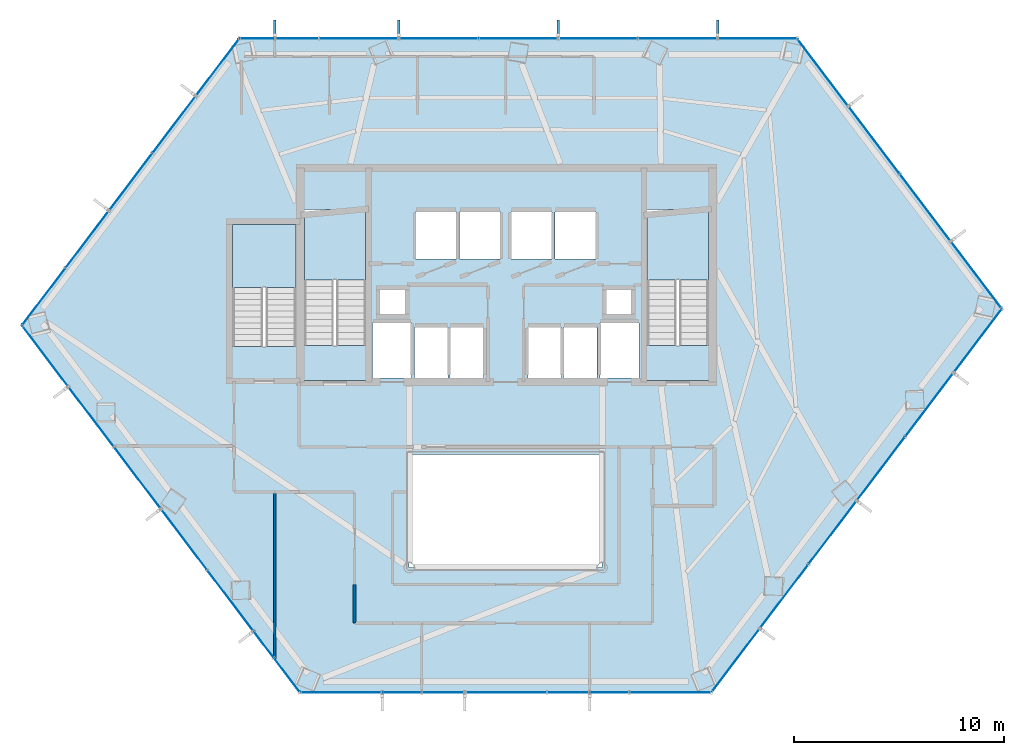
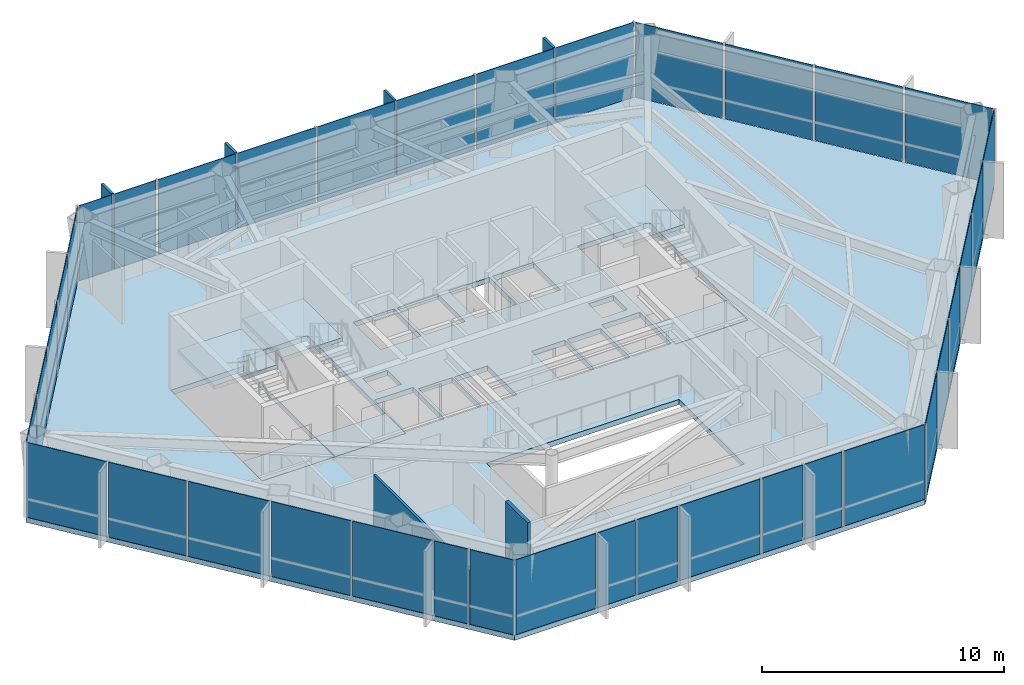
# One storey, part 22 of 26: 37 plates, 7 slabs, 4 members, 2 walls, 9 elements without a shape of their own.
"""IFC4 building model written with IfcOpenShell, lengths in metres."""

from ifc_helpers import new_model, si_unit, direction, frame, frame_2d, origin, origin_2d, place, context, subcontext, project, spatial, polyline, rectangle, outline, extrude, material, layer, layer_set, material_profile, profile_set, type_object, element, aggregate, save


model = new_model("IFC4")

# Units and contexts
model_context = context("Model", 3, precision=1e-05, world=origin(), true_north=direction((0.0, 1.0)))
body_context = subcontext(model_context, "Body", "Model", "MODEL_VIEW")
ifc_project = project(units=[si_unit("LENGTHUNIT", "METRE"), si_unit("AREAUNIT", "SQUARE_METRE"), si_unit("VOLUMEUNIT", "CUBIC_METRE"), si_unit("PLANEANGLEUNIT", "RADIAN"), si_unit("MASSUNIT", "GRAM", prefix="KILO")], contexts=[model_context])

# Site, building, storey
site_placement = place(None, origin())
site = spatial("IfcSite", under=ifc_project, at=site_placement, CompositionType="ELEMENT")
building_placement = place(site_placement, origin())
building = spatial("IfcBuilding", under=site, at=building_placement, Name="Zarrinselat Tower", CompositionType="ELEMENT")
storey_placement = place(building_placement, frame((0.0, 0.0, 92.820068359375)))
storey = spatial("IfcBuildingStorey", under=building, at=storey_placement, Name="L22", CompositionType="ELEMENT", Elevation=92.820068359375)

# Curtain wall, members, plates
ifc_material_1 = material(Name="Extruded Aluminium Alloy EN AW-6063 T6", Category="aluminium")
ifc_layer_1 = layer(ifc_material_1, 0.18505859375)
ifc_layer_set_1 = layer_set([ifc_layer_1], Name="Extruded Aluminium Alloy EN AW-6063 T6")
curtain_wall_type = type_object("IfcCurtainWallType", Name="CWS-OFF", PredefinedType="NOTDEFINED", material=ifc_layer_set_1)
curtain_wall_1_placement = place(storey_placement, origin())
curtain_wall_1 = element("IfcCurtainWall", 1, at=curtain_wall_1_placement, inside=storey, type_object=curtain_wall_type, Name="L22 Unitised Curtain Wall CW-L22-E01", PredefinedType="NOTDEFINED")
ifc_material_2 = material(Name="Honed Cream Travertine Stone", Category="masonry")
ifc_material_profile = material_profile(ifc_material_2, rectangle(XDim=0.1201171875, YDim=0.85009765625, at=origin_2d()), Name="FIN 850x120")
ifc_profile_set = profile_set([ifc_material_profile], Name="Honed Cream Travertine Stone")
member_type = type_object("IfcMemberType", Name="MEM-STONE-FIN", PredefinedType="USERDEFINED", material=ifc_profile_set)
member_1_placement = place(storey_placement, frame((48.493408203125, 50.07666015625, 0.0), z_axis=(0.0, 0.0, 1.0), x_axis=(1.0, 0.0, 0.0)))
member_1 = element("IfcMember", 2, at=member_1_placement, type_object=member_type, Name="L22 Stone Shading Fin CW-L22-E01-01", ObjectType="FIN", PredefinedType="USERDEFINED", context=body_context, shape_type="SweptSolid", body=[
    extrude(rectangle(XDim=0.1201171875, YDim=0.85009765625, at=origin_2d()), origin(), (0.0, 0.0, 1.0), 3.81982421875),
])
member_2_placement = place(storey_placement, frame((40.897216796875, 50.07666015625, 0.0), z_axis=(0.0, 0.0, 1.0), x_axis=(1.0, 0.0, 0.0)))
member_2 = element("IfcMember", 3, at=member_2_placement, type_object=member_type, Name="L22 Stone Shading Fin CW-L22-E01-03", ObjectType="FIN", PredefinedType="USERDEFINED", context=body_context, shape_type="SweptSolid", body=[
    extrude(rectangle(XDim=0.1201171875, YDim=0.85009765625, at=origin_2d()), origin(), (0.0, 0.0, 1.0), 3.81982421875),
])
member_3_placement = place(storey_placement, frame((33.30078125, 50.07666015625, 0.0), z_axis=(0.0, 0.0, 1.0), x_axis=(1.0, 0.0, 0.0)))
member_3 = element("IfcMember", 4, at=member_3_placement, type_object=member_type, Name="L22 Stone Shading Fin CW-L22-E01-05", ObjectType="FIN", PredefinedType="USERDEFINED", context=body_context, shape_type="SweptSolid", body=[
    extrude(rectangle(XDim=0.1201171875, YDim=0.85009765625, at=origin_2d()), origin(), (0.0, 0.0, 1.0), 3.81982421875),
])
member_4_placement = place(storey_placement, frame((27.39990234375, 50.07666015625, 0.0), z_axis=(0.0, 0.0, 1.0), x_axis=(1.0, 0.0, 0.0)))
member_4 = element("IfcMember", 5, at=member_4_placement, type_object=member_type, Name="L22 Stone Shading Fin CW-L22-E01-07", ObjectType="FIN", PredefinedType="USERDEFINED", context=body_context, shape_type="SweptSolid", body=[
    extrude(rectangle(XDim=0.1201171875, YDim=0.85009765625, at=origin_2d()), origin(), (0.0, 0.0, 1.0), 3.81982421875),
])
ifc_material_3 = material(Name="Double Low-E Laminated Solar Glass", Category="glass")
ifc_layer_2 = layer(ifc_material_3, 0.031982421875)
ifc_layer_set_2 = layer_set([ifc_layer_2], Name="Double Low-E Laminated Solar Glass")
plate_type = type_object("IfcPlateType", Name="PLT-CW-GL32", PredefinedType="CURTAIN_PANEL", material=ifc_layer_set_2)
plate_1_placement = place(storey_placement, frame((50.392333984375, 49.61669921875, 0.02001953125), z_axis=(0.0, 0.0, 1.0), x_axis=(-1.0, 0.0, 0.0)))
plate_1 = element("IfcPlate", 6, at=plate_1_placement, type_object=plate_type, Name="CW-L22-E01 Vision Glass Panel 1", PredefinedType="CURTAIN_PANEL", context=body_context, shape_type="SweptSolid", body=[
    extrude(rectangle(XDim=3.697998046875, YDim=0.031982421875, at=origin_2d()), origin(), (0.0, 0.0, 1.0), 3.780029296875),
])
plate_2_placement = place(storey_placement, frame((46.59423828125, 49.61669921875, 0.02001953125), z_axis=(0.0, 0.0, 1.0), x_axis=(-1.0, 0.0, 0.0)))
plate_2 = element("IfcPlate", 7, at=plate_2_placement, type_object=plate_type, Name="CW-L22-E01 Vision Glass Panel 2", PredefinedType="CURTAIN_PANEL", context=body_context, shape_type="SweptSolid", body=[
    extrude(rectangle(XDim=3.697998046875, YDim=0.031982421875, at=origin_2d()), origin(), (0.0, 0.0, 1.0), 3.780029296875),
])
plate_3_placement = place(storey_placement, frame((42.796142578125, 49.61669921875, 0.02001953125), z_axis=(0.0, 0.0, 1.0), x_axis=(-1.0, 0.0, 0.0)))
plate_3 = element("IfcPlate", 8, at=plate_3_placement, type_object=plate_type, Name="CW-L22-E01 Vision Glass Panel 3", PredefinedType="CURTAIN_PANEL", context=body_context, shape_type="SweptSolid", body=[
    extrude(rectangle(XDim=3.697998046875, YDim=0.031982421875, at=origin_2d()), origin(), (0.0, 0.0, 1.0), 3.780029296875),
])
plate_4_placement = place(storey_placement, frame((38.998046875, 49.61669921875, 0.02001953125), z_axis=(0.0, 0.0, 1.0), x_axis=(-1.0, 0.0, 0.0)))
plate_4 = element("IfcPlate", 9, at=plate_4_placement, type_object=plate_type, Name="CW-L22-E01 Vision Glass Panel 4", PredefinedType="CURTAIN_PANEL", context=body_context, shape_type="SweptSolid", body=[
    extrude(rectangle(XDim=3.697998046875, YDim=0.031982421875, at=origin_2d()), origin(), (0.0, 0.0, 1.0), 3.780029296875),
])
plate_5_placement = place(storey_placement, frame((35.199951171875, 49.61669921875, 0.02001953125), z_axis=(0.0, 0.0, 1.0), x_axis=(-1.0, 0.0, 0.0)))
plate_5 = element("IfcPlate", 10, at=plate_5_placement, type_object=plate_type, Name="CW-L22-E01 Vision Glass Panel 5", PredefinedType="CURTAIN_PANEL", context=body_context, shape_type="SweptSolid", body=[
    extrude(rectangle(XDim=3.697998046875, YDim=0.031982421875, at=origin_2d()), origin(), (0.0, 0.0, 1.0), 3.780029296875),
])
plate_6_placement = place(storey_placement, frame((31.401611328125, 49.61669921875, 0.02001953125), z_axis=(0.0, 0.0, 1.0), x_axis=(-1.0, 0.0, 0.0)))
plate_6 = element("IfcPlate", 11, at=plate_6_placement, type_object=plate_type, Name="CW-L22-E01 Vision Glass Panel 6", PredefinedType="CURTAIN_PANEL", context=body_context, shape_type="SweptSolid", body=[
    extrude(rectangle(XDim=3.697998046875, YDim=0.031982421875, at=origin_2d()), origin(), (0.0, 0.0, 1.0), 3.780029296875),
])
plate_7_placement = place(storey_placement, frame((28.451416015625, 49.61669921875, 0.02001953125), z_axis=(0.0, 0.0, 1.0), x_axis=(-1.0, 0.0, 0.0)))
plate_7 = element("IfcPlate", 12, at=plate_7_placement, type_object=plate_type, Name="CW-L22-E01 Vision Glass Panel 7", PredefinedType="CURTAIN_PANEL", context=body_context, shape_type="SweptSolid", body=[
    extrude(rectangle(XDim=2.002685546875, YDim=0.031982421875, at=origin_2d()), origin(), (0.0, 0.0, 1.0), 3.780029296875),
])
plate_8_placement = place(storey_placement, frame((26.55224609375, 49.61669921875, 0.02001953125), z_axis=(0.0, 0.0, 1.0), x_axis=(-1.0, 0.0, 0.0)))
plate_8 = element("IfcPlate", 13, at=plate_8_placement, type_object=plate_type, Name="CW-L22-E01 Vision Glass Panel 8", PredefinedType="CURTAIN_PANEL", context=body_context, shape_type="SweptSolid", body=[
    extrude(rectangle(XDim=1.595458984375, YDim=0.031982421875, at=origin_2d()), origin(), (0.0, 0.0, 1.0), 3.780029296875),
])
aggregate(curtain_wall_1, [member_1, member_2, member_3, member_4, plate_1, plate_2, plate_3, plate_4, plate_5, plate_6, plate_7, plate_8])

# Curtain wall, plates
curtain_wall_2_placement = place(storey_placement, origin())
curtain_wall_2 = element("IfcCurtainWall", 14, at=curtain_wall_2_placement, inside=storey, type_object=curtain_wall_type, Name="L22 Unitised Curtain Wall CW-L22-E02", PredefinedType="NOTDEFINED")
plate_9_placement = place(storey_placement, frame((24.668701171875, 48.24951171875, 0.02001953125), z_axis=(0.0, 0.0, 1.0), x_axis=(-0.603857014451, -0.797092658414, 0.0)))
plate_9 = element("IfcPlate", 15, at=plate_9_placement, type_object=plate_type, Name="CW-L22-E02 Vision Glass Panel 1", PredefinedType="CURTAIN_PANEL", context=body_context, shape_type="SweptSolid", body=[
    extrude(rectangle(XDim=3.330078125, YDim=0.031982421875, at=origin_2d()), origin(), (0.0, 0.0, 1.0), 3.780029296875),
])
plate_10_placement = place(storey_placement, frame((22.597412109375, 45.515380859375, 0.02001953125), z_axis=(0.0, 0.0, 1.0), x_axis=(-0.603857014451, -0.797092658414, 0.0)))
plate_10 = element("IfcPlate", 16, at=plate_10_placement, type_object=plate_type, Name="CW-L22-E02 Vision Glass Panel 2", PredefinedType="CURTAIN_PANEL", context=body_context, shape_type="SweptSolid", body=[
    extrude(rectangle(XDim=3.330078125, YDim=0.031982421875, at=origin_2d()), origin(), (0.0, 0.0, 1.0), 3.780029296875),
])
plate_11_placement = place(storey_placement, frame((20.526123046875, 42.78125, 0.02001953125), z_axis=(0.0, 0.0, 1.0), x_axis=(-0.603857014451, -0.797092658414, 0.0)))
plate_11 = element("IfcPlate", 17, at=plate_11_placement, type_object=plate_type, Name="CW-L22-E02 Vision Glass Panel 3", PredefinedType="CURTAIN_PANEL", context=body_context, shape_type="SweptSolid", body=[
    extrude(rectangle(XDim=3.330078125, YDim=0.031982421875, at=origin_2d()), origin(), (0.0, 0.0, 1.0), 3.780029296875),
])
plate_12_placement = place(storey_placement, frame((18.45458984375, 40.047119140625, 0.02001953125), z_axis=(0.0, 0.0, 1.0), x_axis=(-0.603857014451, -0.797092658414, 0.0)))
plate_12 = element("IfcPlate", 18, at=plate_12_placement, type_object=plate_type, Name="CW-L22-E02 Vision Glass Panel 4", PredefinedType="CURTAIN_PANEL", context=body_context, shape_type="SweptSolid", body=[
    extrude(rectangle(XDim=3.330078125, YDim=0.031982421875, at=origin_2d()), origin(), (0.0, 0.0, 1.0), 3.780029296875),
])
plate_13_placement = place(storey_placement, frame((16.38330078125, 37.312744140625, 0.02001953125), z_axis=(0.0, 0.0, 1.0), x_axis=(-0.603857014451, -0.797092658414, 0.0)))
plate_13 = element("IfcPlate", 19, at=plate_13_placement, type_object=plate_type, Name="CW-L22-E02 Vision Glass Panel 5", PredefinedType="CURTAIN_PANEL", context=body_context, shape_type="SweptSolid", body=[
    extrude(rectangle(XDim=3.330078125, YDim=0.031982421875, at=origin_2d()), origin(), (0.0, 0.0, 1.0), 3.780029296875),
])
aggregate(curtain_wall_2, [plate_9, plate_10, plate_11, plate_12, plate_13])

curtain_wall_3_placement = place(storey_placement, origin())
curtain_wall_3 = element("IfcCurtainWall", 20, at=curtain_wall_3_placement, inside=storey, type_object=curtain_wall_type, Name="L22 Unitised Curtain Wall CW-L22-E03", PredefinedType="NOTDEFINED")
plate_14_placement = place(storey_placement, frame((16.45166015625, 34.488525390625, 0.02001953125), z_axis=(0.0, 0.0, 1.0), x_axis=(0.603856459269, -0.797093079006, 0.0)))
plate_14 = element("IfcPlate", 21, at=plate_14_placement, type_object=plate_type, Name="CW-L22-E03 Vision Glass Panel 1", PredefinedType="CURTAIN_PANEL", context=body_context, shape_type="SweptSolid", body=[
    extrude(rectangle(XDim=3.55615234375, YDim=0.031982421875, at=origin_2d()), origin(), (0.0, 0.0, 1.0), 3.780029296875),
])
plate_15_placement = place(storey_placement, frame((18.6416015625, 31.59765625, 0.02001953125), z_axis=(0.0, 0.0, 1.0), x_axis=(0.603856459269, -0.797093079006, 0.0)))
plate_15 = element("IfcPlate", 22, at=plate_15_placement, type_object=plate_type, Name="CW-L22-E03 Vision Glass Panel 2", PredefinedType="CURTAIN_PANEL", context=body_context, shape_type="SweptSolid", body=[
    extrude(rectangle(XDim=3.497802734375, YDim=0.031982421875, at=origin_2d()), origin(), (0.0, 0.0, 1.0), 3.780029296875),
])
plate_16_placement = place(storey_placement, frame((20.849609375, 28.683349609375, 0.02001953125), z_axis=(0.0, 0.0, 1.0), x_axis=(0.603856459269, -0.797093079006, 0.0)))
plate_16 = element("IfcPlate", 23, at=plate_16_placement, type_object=plate_type, Name="CW-L22-E03 Vision Glass Panel 3", PredefinedType="CURTAIN_PANEL", context=body_context, shape_type="SweptSolid", body=[
    extrude(rectangle(XDim=3.614501953125, YDim=0.031982421875, at=origin_2d()), origin(), (0.0, 0.0, 1.0), 3.780029296875),
])
plate_17_placement = place(storey_placement, frame((23.074951171875, 25.74560546875, 0.02001953125), z_axis=(0.0, 0.0, 1.0), x_axis=(0.603856459269, -0.797093079006, 0.0)))
plate_17 = element("IfcPlate", 24, at=plate_17_placement, type_object=plate_type, Name="CW-L22-E03 Vision Glass Panel 4", PredefinedType="CURTAIN_PANEL", context=body_context, shape_type="SweptSolid", body=[
    extrude(rectangle(XDim=3.55615234375, YDim=0.031982421875, at=origin_2d()), origin(), (0.0, 0.0, 1.0), 3.780029296875),
])
plate_18_placement = place(storey_placement, frame((25.28271484375, 22.831298828125, 0.02001953125), z_axis=(0.0, 0.0, 1.0), x_axis=(0.603856459269, -0.797093079006, 0.0)))
plate_18 = element("IfcPlate", 25, at=plate_18_placement, type_object=plate_type, Name="CW-L22-E03 Vision Glass Panel 5", PredefinedType="CURTAIN_PANEL", context=body_context, shape_type="SweptSolid", body=[
    extrude(rectangle(XDim=3.55615234375, YDim=0.031982421875, at=origin_2d()), origin(), (0.0, 0.0, 1.0), 3.780029296875),
])
plate_19_placement = place(storey_placement, frame((26.869384765625, 20.737060546875, 0.02001953125), z_axis=(0.0, 0.0, 1.0), x_axis=(0.603856459269, -0.797093079006, 0.0)))
plate_19 = element("IfcPlate", 26, at=plate_19_placement, type_object=plate_type, Name="CW-L22-E03 Vision Glass Panel 6", PredefinedType="CURTAIN_PANEL", context=body_context, shape_type="SweptSolid", body=[
    extrude(rectangle(XDim=1.4990234375, YDim=0.031982421875, at=origin_2d()), origin(), (0.0, 0.0, 1.0), 3.780029296875),
])
plate_20_placement = place(storey_placement, frame((27.973388671875, 19.27978515625, 0.02001953125), z_axis=(0.0, 0.0, 1.0), x_axis=(0.603856459269, -0.797093079006, 0.0)))
plate_20 = element("IfcPlate", 27, at=plate_20_placement, type_object=plate_type, Name="CW-L22-E03 Vision Glass Panel 7", PredefinedType="CURTAIN_PANEL", context=body_context, shape_type="SweptSolid", body=[
    extrude(rectangle(XDim=1.957275390625, YDim=0.031982421875, at=origin_2d()), origin(), (0.0, 0.0, 1.0), 3.780029296875),
])
aggregate(curtain_wall_3, [plate_14, plate_15, plate_16, plate_17, plate_18, plate_19, plate_20])

curtain_wall_4_placement = place(storey_placement, origin())
curtain_wall_4 = element("IfcCurtainWall", 28, at=curtain_wall_4_placement, inside=storey, type_object=curtain_wall_type, Name="L22 Unitised Curtain Wall CW-L22-E04", PredefinedType="NOTDEFINED")
plate_21_placement = place(storey_placement, frame((30.555419921875, 18.4599609375, 0.02001953125), z_axis=(0.0, 0.0, 1.0), x_axis=(1.0, 0.0, 0.0)))
plate_21 = element("IfcPlate", 29, at=plate_21_placement, type_object=plate_type, Name="CW-L22-E04 Vision Glass Panel 1", PredefinedType="CURTAIN_PANEL", context=body_context, shape_type="SweptSolid", body=[
    extrude(rectangle(XDim=3.822265625, YDim=0.031982421875, at=origin_2d()), origin(), (0.0, 0.0, 1.0), 3.780029296875),
])
plate_22_placement = place(storey_placement, frame((33.458251953125, 18.4599609375, 0.02001953125), z_axis=(0.0, 0.0, 1.0), x_axis=(1.0, 0.0, 0.0)))
plate_22 = element("IfcPlate", 30, at=plate_22_placement, type_object=plate_type, Name="CW-L22-E04 Vision Glass Panel 2", PredefinedType="CURTAIN_PANEL", context=body_context, shape_type="SweptSolid", body=[
    extrude(rectangle(XDim=1.783447265625, YDim=0.031982421875, at=origin_2d()), origin(), (0.0, 0.0, 1.0), 3.780029296875),
])
plate_23_placement = place(storey_placement, frame((35.41943359375, 18.4599609375, 0.02001953125), z_axis=(0.0, 0.0, 1.0), x_axis=(1.0, 0.0, 0.0)))
plate_23 = element("IfcPlate", 31, at=plate_23_placement, type_object=plate_type, Name="CW-L22-E04 Vision Glass Panel 3", PredefinedType="CURTAIN_PANEL", context=body_context, shape_type="SweptSolid", body=[
    extrude(rectangle(XDim=1.93896484375, YDim=0.031982421875, at=origin_2d()), origin(), (0.0, 0.0, 1.0), 3.780029296875),
])
plate_24_placement = place(storey_placement, frame((38.39990234375, 18.4599609375, 0.02001953125), z_axis=(0.0, 0.0, 1.0), x_axis=(1.0, 0.0, 0.0)))
plate_24 = element("IfcPlate", 32, at=plate_24_placement, type_object=plate_type, Name="CW-L22-E04 Vision Glass Panel 4", PredefinedType="CURTAIN_PANEL", context=body_context, shape_type="SweptSolid", body=[
    extrude(rectangle(XDim=3.822265625, YDim=0.031982421875, at=origin_2d()), origin(), (0.0, 0.0, 1.0), 3.780029296875),
])
plate_25_placement = place(storey_placement, frame((41.380615234375, 18.4599609375, 0.02001953125), z_axis=(0.0, 0.0, 1.0), x_axis=(1.0, 0.0, 0.0)))
plate_25 = element("IfcPlate", 33, at=plate_25_placement, type_object=plate_type, Name="CW-L22-E04 Vision Glass Panel 5", PredefinedType="CURTAIN_PANEL", context=body_context, shape_type="SweptSolid", body=[
    extrude(rectangle(XDim=1.93896484375, YDim=0.031982421875, at=origin_2d()), origin(), (0.0, 0.0, 1.0), 3.780029296875),
])
plate_26_placement = place(storey_placement, frame((43.341796875, 18.4599609375, 0.02001953125), z_axis=(0.0, 0.0, 1.0), x_axis=(1.0, 0.0, 0.0)))
plate_26 = element("IfcPlate", 34, at=plate_26_placement, type_object=plate_type, Name="CW-L22-E04 Vision Glass Panel 6", PredefinedType="CURTAIN_PANEL", context=body_context, shape_type="SweptSolid", body=[
    extrude(rectangle(XDim=1.783447265625, YDim=0.031982421875, at=origin_2d()), origin(), (0.0, 0.0, 1.0), 3.780029296875),
])
plate_27_placement = place(storey_placement, frame((46.244384765625, 18.4599609375, 0.02001953125), z_axis=(0.0, 0.0, 1.0), x_axis=(1.0, 0.0, 0.0)))
plate_27 = element("IfcPlate", 35, at=plate_27_placement, type_object=plate_type, Name="CW-L22-E04 Vision Glass Panel 7", PredefinedType="CURTAIN_PANEL", context=body_context, shape_type="SweptSolid", body=[
    extrude(rectangle(XDim=3.822265625, YDim=0.031982421875, at=origin_2d()), origin(), (0.0, 0.0, 1.0), 3.780029296875),
])
aggregate(curtain_wall_4, [plate_21, plate_22, plate_23, plate_24, plate_25, plate_26, plate_27])

curtain_wall_5_placement = place(storey_placement, origin())
curtain_wall_5 = element("IfcCurtainWall", 36, at=curtain_wall_5_placement, inside=storey, type_object=curtain_wall_type, Name="L22 Unitised Curtain Wall CW-L22-E05", PredefinedType="NOTDEFINED")
plate_28_placement = place(storey_placement, frame((49.359375, 19.98291015625, 0.02001953125), z_axis=(0.0, 0.0, 1.0), x_axis=(0.603855672579, 0.797093674981, 0.0)))
plate_28 = element("IfcPlate", 37, at=plate_28_placement, type_object=plate_type, Name="CW-L22-E05 Vision Glass Panel 1", PredefinedType="CURTAIN_PANEL", context=body_context, shape_type="SweptSolid", body=[
    extrude(rectangle(XDim=3.72119140625, YDim=0.031982421875, at=origin_2d()), origin(), (0.0, 0.0, 1.0), 3.780029296875),
])
plate_29_placement = place(storey_placement, frame((51.666748046875, 23.02880859375, 0.02001953125), z_axis=(0.0, 0.0, 1.0), x_axis=(0.603855672579, 0.797093674981, 0.0)))
plate_29 = element("IfcPlate", 38, at=plate_29_placement, type_object=plate_type, Name="CW-L22-E05 Vision Glass Panel 2", PredefinedType="CURTAIN_PANEL", context=body_context, shape_type="SweptSolid", body=[
    extrude(rectangle(XDim=3.72119140625, YDim=0.031982421875, at=origin_2d()), origin(), (0.0, 0.0, 1.0), 3.780029296875),
])
plate_30_placement = place(storey_placement, frame((53.97412109375, 26.07470703125, 0.02001953125), z_axis=(0.0, 0.0, 1.0), x_axis=(0.603855672579, 0.797093674981, 0.0)))
plate_30 = element("IfcPlate", 39, at=plate_30_placement, type_object=plate_type, Name="CW-L22-E05 Vision Glass Panel 3", PredefinedType="CURTAIN_PANEL", context=body_context, shape_type="SweptSolid", body=[
    extrude(rectangle(XDim=3.72119140625, YDim=0.031982421875, at=origin_2d()), origin(), (0.0, 0.0, 1.0), 3.780029296875),
])
plate_31_placement = place(storey_placement, frame((56.28173828125, 29.12060546875, 0.02001953125), z_axis=(0.0, 0.0, 1.0), x_axis=(0.603855672579, 0.797093674981, 0.0)))
plate_31 = element("IfcPlate", 40, at=plate_31_placement, type_object=plate_type, Name="CW-L22-E05 Vision Glass Panel 4", PredefinedType="CURTAIN_PANEL", context=body_context, shape_type="SweptSolid", body=[
    extrude(rectangle(XDim=3.72119140625, YDim=0.031982421875, at=origin_2d()), origin(), (0.0, 0.0, 1.0), 3.780029296875),
])
plate_32_placement = place(storey_placement, frame((58.589111328125, 32.166259765625, 0.02001953125), z_axis=(0.0, 0.0, 1.0), x_axis=(0.603855672579, 0.797093674981, 0.0)))
plate_32 = element("IfcPlate", 41, at=plate_32_placement, type_object=plate_type, Name="CW-L22-E05 Vision Glass Panel 5", PredefinedType="CURTAIN_PANEL", context=body_context, shape_type="SweptSolid", body=[
    extrude(rectangle(XDim=3.72119140625, YDim=0.031982421875, at=origin_2d()), origin(), (0.0, 0.0, 1.0), 3.780029296875),
])
plate_33_placement = place(storey_placement, frame((60.896484375, 35.212158203125, 0.02001953125), z_axis=(0.0, 0.0, 1.0), x_axis=(0.603855672579, 0.797093674981, 0.0)))
plate_33 = element("IfcPlate", 42, at=plate_33_placement, type_object=plate_type, Name="CW-L22-E05 Vision Glass Panel 6", PredefinedType="CURTAIN_PANEL", context=body_context, shape_type="SweptSolid", body=[
    extrude(rectangle(XDim=3.72119140625, YDim=0.031982421875, at=origin_2d()), origin(), (0.0, 0.0, 1.0), 3.780029296875),
])
aggregate(curtain_wall_5, [plate_28, plate_29, plate_30, plate_31, plate_32, plate_33])

curtain_wall_6_placement = place(storey_placement, origin())
curtain_wall_6 = element("IfcCurtainWall", 43, at=curtain_wall_6_placement, inside=storey, type_object=curtain_wall_type, Name="L22 Unitised Curtain Wall CW-L22-E06", PredefinedType="NOTDEFINED")
plate_34_placement = place(storey_placement, frame((60.830322265625, 38.34521484375, 0.02001953125), z_axis=(0.0, 0.0, 1.0), x_axis=(-0.603858164533, 0.797091787141, 0.0)))
plate_34 = element("IfcPlate", 44, at=plate_34_placement, type_object=plate_type, Name="CW-L22-E06 Vision Glass Panel 1", PredefinedType="CURTAIN_PANEL", context=body_context, shape_type="SweptSolid", body=[
    extrude(rectangle(XDim=3.940185546875, YDim=0.031982421875, at=origin_2d()), origin(), (0.0, 0.0, 1.0), 3.780029296875),
])
plate_35_placement = place(storey_placement, frame((58.390625, 41.565673828125, 0.02001953125), z_axis=(0.0, 0.0, 1.0), x_axis=(-0.603858164533, 0.797091787141, 0.0)))
plate_35 = element("IfcPlate", 45, at=plate_35_placement, type_object=plate_type, Name="CW-L22-E06 Vision Glass Panel 2", PredefinedType="CURTAIN_PANEL", context=body_context, shape_type="SweptSolid", body=[
    extrude(rectangle(XDim=3.940185546875, YDim=0.031982421875, at=origin_2d()), origin(), (0.0, 0.0, 1.0), 3.780029296875),
])
plate_36_placement = place(storey_placement, frame((55.950927734375, 44.7861328125, 0.02001953125), z_axis=(0.0, 0.0, 1.0), x_axis=(-0.603858164533, 0.797091787141, 0.0)))
plate_36 = element("IfcPlate", 46, at=plate_36_placement, type_object=plate_type, Name="CW-L22-E06 Vision Glass Panel 3", PredefinedType="CURTAIN_PANEL", context=body_context, shape_type="SweptSolid", body=[
    extrude(rectangle(XDim=3.940185546875, YDim=0.031982421875, at=origin_2d()), origin(), (0.0, 0.0, 1.0), 3.780029296875),
])
plate_37_placement = place(storey_placement, frame((53.511474609375, 48.006591796875, 0.02001953125), z_axis=(0.0, 0.0, 1.0), x_axis=(-0.603858164533, 0.797091787141, 0.0)))
plate_37 = element("IfcPlate", 47, at=plate_37_placement, type_object=plate_type, Name="CW-L22-E06 Vision Glass Panel 4", PredefinedType="CURTAIN_PANEL", context=body_context, shape_type="SweptSolid", body=[
    extrude(rectangle(XDim=3.940185546875, YDim=0.031982421875, at=origin_2d()), origin(), (0.0, 0.0, 1.0), 3.780029296875),
])
aggregate(curtain_wall_6, [plate_34, plate_35, plate_36, plate_37])

# Slabs
ifc_material_4 = material(Name="Concrete C40/50", Category="concrete")
ifc_layer_3 = layer(ifc_material_4, 0.260009765625)
ifc_layer_set_3 = layer_set([ifc_layer_3], Name="Concrete C40/50")
slab_type_1 = type_object("IfcSlabType", Name="SLB-FLOOR-260-SL-OF260", PredefinedType="FLOOR", material=ifc_layer_set_3)
slab_1_placement = place(storey_placement, frame((0.0, 0.0, -0.260009765625)))
element("IfcSlab", 48, at=slab_1_placement, inside=storey, type_object=slab_type_1, Name="L22 Primary Structural Slab", PredefinedType="FLOOR", context=body_context, shape_type="SweptSolid", body=[
    extrude(outline(polyline([(52.29150390625, 49.61669921875), (25.70458984375, 49.61669921875), (15.34765625, 35.94580078125), (28.594482421875, 18.4599609375), (48.20556640625, 18.4599609375), (62.05029296875, 36.735107421875), (52.29150390625, 49.61669921875)]), holes=[polyline([(34.050048828125, 33.449951171875), (34.050048828125, 35.85009765625), (35.64990234375, 35.85009765625), (35.64990234375, 33.449951171875), (34.050048828125, 33.449951171875)]), polyline([(35.75, 33.449951171875), (35.75, 35.85009765625), (37.35009765625, 35.85009765625), (37.35009765625, 33.449951171875), (35.75, 33.449951171875)]), polyline([(32.06005859375, 33.449951171875), (32.06005859375, 36.050048828125), (33.89990234375, 36.050048828125), (33.89990234375, 33.449951171875), (32.06005859375, 33.449951171875)]), polyline([(32.419921875, 36.47998046875), (32.419921875, 37.639892578125), (33.60009765625, 37.639892578125), (33.60009765625, 36.47998046875), (32.419921875, 36.47998046875)]), polyline([(28.594970703125, 33.324951171875), (25.114990234375, 33.324951171875), (25.114990234375, 40.875), (28.594970703125, 40.875), (28.594970703125, 33.324951171875)]), polyline([(31.985107421875, 33.324951171875), (28.60498046875, 33.324951171875), (28.60498046875, 41.47509765625), (31.985107421875, 41.47509765625), (31.985107421875, 33.324951171875)]), polyline([(34.10009765625, 39.10009765625), (34.10009765625, 41.35009765625), (36.050048828125, 41.35009765625), (36.050048828125, 39.10009765625), (34.10009765625, 39.10009765625)]), polyline([(36.199951171875, 39.10009765625), (36.199951171875, 41.35009765625), (38.14990234375, 41.35009765625), (38.14990234375, 39.10009765625), (36.199951171875, 39.10009765625)]), polyline([(33.800048828125, 24.39990234375), (33.800048828125, 29.800048828125), (43.0, 29.800048828125), (43.0, 24.39990234375), (33.800048828125, 24.39990234375)]), polyline([(39.449951171875, 33.449951171875), (39.449951171875, 35.85009765625), (41.050048828125, 35.85009765625), (41.050048828125, 33.449951171875), (39.449951171875, 33.449951171875)]), polyline([(41.14990234375, 33.449951171875), (41.14990234375, 35.85009765625), (42.75, 35.85009765625), (42.75, 33.449951171875), (41.14990234375, 33.449951171875)]), polyline([(42.89990234375, 33.449951171875), (42.89990234375, 36.050048828125), (44.739990234375, 36.050048828125), (44.739990234375, 33.449951171875), (42.89990234375, 33.449951171875)]), polyline([(43.199951171875, 36.47998046875), (43.199951171875, 37.639892578125), (44.3798828125, 37.639892578125), (44.3798828125, 36.47998046875), (43.199951171875, 36.47998046875)]), polyline([(48.324951171875, 33.324951171875), (44.875, 33.324951171875), (44.875, 41.47509765625), (48.324951171875, 41.47509765625), (48.324951171875, 33.324951171875)]), polyline([(38.64990234375, 39.10009765625), (38.64990234375, 41.35009765625), (40.60009765625, 41.35009765625), (40.60009765625, 39.10009765625), (38.64990234375, 39.10009765625)]), polyline([(40.75, 39.10009765625), (40.75, 41.35009765625), (42.699951171875, 41.35009765625), (42.699951171875, 39.10009765625), (40.75, 39.10009765625)])]), origin(), (0.0, 0.0, 1.0), 0.260009765625),
])
slab_2_placement = place(storey_placement, frame((0.0, 0.0, -0.260009765625)))
element("IfcSlab", 49, at=slab_2_placement, inside=storey, type_object=slab_type_1, Name="L22 Stair ST-1-FL1 Structural Floor Landing", PredefinedType="FLOOR", context=body_context, shape_type="SweptSolid", body=[
    extrude(outline(polyline([(31.97998046875, 33.330078125), (31.97998046875, 35.0), (28.610107421875, 35.0), (28.610107421875, 33.330078125), (31.97998046875, 33.330078125)])), origin(), (0.0, 0.0, 1.0), 0.260009765625),
])
slab_3_placement = place(storey_placement, frame((0.0, 0.0, -0.260009765625)))
element("IfcSlab", 50, at=slab_3_placement, inside=storey, type_object=slab_type_1, Name="L22 Stair ST-2-FL1 Structural Floor Landing", PredefinedType="FLOOR", context=body_context, shape_type="SweptSolid", body=[
    extrude(outline(polyline([(48.320068359375, 33.330078125), (48.320068359375, 35.0), (44.8798828125, 35.0), (44.8798828125, 33.330078125), (48.320068359375, 33.330078125)])), origin(), (0.0, 0.0, 1.0), 0.260009765625),
])
slab_4_placement = place(storey_placement, frame((0.0, 0.0, -0.260009765625)))
element("IfcSlab", 51, at=slab_4_placement, inside=storey, type_object=slab_type_1, Name="L22 Stair ST-3-FL1 Structural Floor Landing", PredefinedType="FLOOR", context=body_context, shape_type="SweptSolid", body=[
    extrude(outline(polyline([(28.590087890625, 33.330078125), (28.590087890625, 34.949951171875), (25.1201171875, 34.949951171875), (25.1201171875, 33.330078125), (28.590087890625, 33.330078125)])), origin(), (0.0, 0.0, 1.0), 0.260009765625),
])

# Stair, slab
ifc_material_5 = material(Name="Concrete C40/50", Category="concrete")
stair_type_1 = type_object("IfcStairType", Name="STR-CORE-145", PredefinedType="HALF_TURN_STAIR", material=ifc_material_5)
stair_1_placement = place(storey_placement, origin())
stair_1 = element("IfcStair", 52, at=stair_1_placement, inside=storey, type_object=stair_type_1, Name="L22 Podium & Mid-Tower Exit Stair 3", PredefinedType="HALF_TURN_STAIR")
ifc_material_6 = material(Name="Concrete C40/50", Category="concrete")
ifc_layer_4 = layer(ifc_material_6, 0.1650390625)
ifc_layer_set_4 = layer_set([ifc_layer_4], Name="Concrete C40/50")
slab_type_2 = type_object("IfcSlabType", Name="SLB-LND-165", PredefinedType="LANDING", material=ifc_layer_set_4)
slab_5_placement = place(storey_placement, frame((0.0, 0.0, 1.83984375)))
slab_5 = element("IfcSlab", 53, at=slab_5_placement, type_object=slab_type_2, Name="ST-3 landing 1", PredefinedType="LANDING", context=body_context, shape_type="SweptSolid", body=[
    extrude(outline(polyline([(28.39990234375, 37.75), (28.39990234375, 40.75), (25.3798828125, 40.75), (25.3798828125, 37.75), (28.39990234375, 37.75)])), origin(), (0.0, 0.0, 1.0), 0.2001953125),
])
aggregate(stair_1, [slab_5])

ifc_material_7 = material(Name="Concrete C40/50", Category="concrete")
stair_type_2 = type_object("IfcStairType", Name="STR-CORE-155", PredefinedType="HALF_TURN_STAIR", material=ifc_material_7)
stair_2_placement = place(storey_placement, origin())
stair_2 = element("IfcStair", 54, at=stair_2_placement, inside=storey, type_object=stair_type_2, Name="L22 Core Exit Stair 1", PredefinedType="HALF_TURN_STAIR")
ifc_material_8 = material(Name="Concrete C40/50", Category="concrete")
ifc_layer_5 = layer(ifc_material_8, 0.18994140625)
ifc_layer_set_5 = layer_set([ifc_layer_5], Name="Concrete C40/50")
slab_type_3 = type_object("IfcSlabType", Name="SLB-LND-190", PredefinedType="LANDING", material=ifc_layer_set_5)
slab_6_placement = place(storey_placement, frame((0.0, 0.0, 1.83984375)))
slab_6 = element("IfcSlab", 55, at=slab_6_placement, type_object=slab_type_3, Name="ST-1 landing 1", PredefinedType="LANDING", context=body_context, shape_type="SweptSolid", body=[
    extrude(outline(polyline([(31.719970703125, 38.10009765625), (31.719970703125, 41.35009765625), (28.800048828125, 41.35009765625), (28.800048828125, 38.10009765625), (31.719970703125, 38.10009765625)])), origin(), (0.0, 0.0, 1.0), 0.2001953125),
])
aggregate(stair_2, [slab_6])

stair_3_placement = place(storey_placement, origin())
stair_3 = element("IfcStair", 56, at=stair_3_placement, inside=storey, type_object=stair_type_2, Name="L22 Core Exit Stair 2", PredefinedType="HALF_TURN_STAIR")
slab_7_placement = place(storey_placement, frame((0.0, 0.0, 1.83984375)))
slab_7 = element("IfcSlab", 57, at=slab_7_placement, type_object=slab_type_3, Name="ST-2 landing 1", PredefinedType="LANDING", context=body_context, shape_type="SweptSolid", body=[
    extrude(outline(polyline([(48.06005859375, 38.10009765625), (48.06005859375, 41.35009765625), (45.139892578125, 41.35009765625), (45.139892578125, 38.10009765625), (48.06005859375, 38.10009765625)])), origin(), (0.0, 0.0, 1.0), 0.2001953125),
])
aggregate(stair_3, [slab_7])

# Walls
ifc_material_9 = material(Name="Fire-Rated Gypsum Board Partition", Category="gypsum")
ifc_layer_6 = layer(ifc_material_9, 0.14990234375)
ifc_layer_set_6 = layer_set([ifc_layer_6], Name="Fire-Rated Gypsum Board Partition")
wall_type_1 = type_object("IfcWallType", Name="WAL-PART-EI60", PredefinedType="PARTITIONING", material=ifc_layer_set_6)
wall_1_placement = place(storey_placement, frame((31.199951171875, 21.77001953125, 0.0), z_axis=(0.0, 0.0, 1.0), x_axis=(0.0, 1.0, 0.0)))
element("IfcWall", 58, at=wall_1_placement, inside=storey, type_object=wall_type_1, Name="L22 Partition Wall 19", PredefinedType="PARTITIONING", context=body_context, shape_type="SweptSolid", body=[
    extrude(rectangle(XDim=1.830078125, YDim=0.14990234375, at=frame_2d((0.9150390625, 0.0))), origin(), (0.0, 0.0, 1.0), 2.77685546875),
])
ifc_material_10 = material(Name="Fire-Rated Gypsum Board Partition", Category="gypsum")
ifc_layer_7 = layer(ifc_material_10, 0.1201171875)
ifc_layer_set_7 = layer_set([ifc_layer_7], Name="Fire-Rated Gypsum Board Partition")
wall_type_2 = type_object("IfcWallType", Name="WAL-PART-STD", PredefinedType="PARTITIONING", material=ifc_layer_set_7)
wall_2_placement = place(storey_placement, frame((27.39990234375, 20.051513671875, 0.0), z_axis=(0.0, 0.0, 1.0), x_axis=(0.0, 1.0, 0.0)))
element("IfcWall", 59, at=wall_2_placement, inside=storey, type_object=wall_type_2, Name="L22 Partition Wall 46", PredefinedType="PARTITIONING", context=body_context, shape_type="SweptSolid", body=[
    extrude(rectangle(XDim=7.928466796875, YDim=0.1201171875, at=frame_2d((3.96435546875, 0.0))), origin(), (0.0, 0.0, 1.0), 2.77685546875),
])

save(model, "model.ifc")
